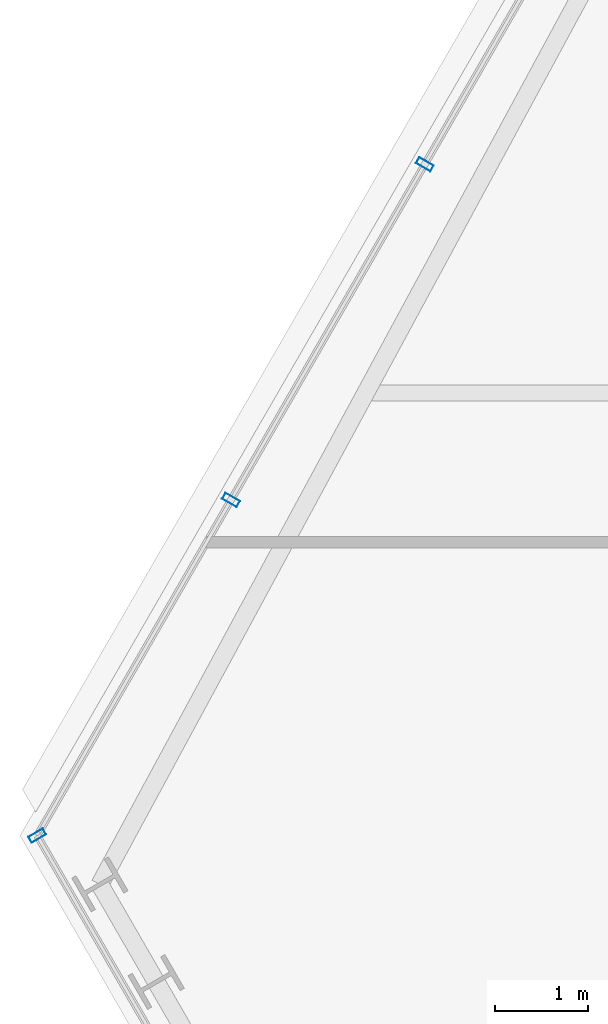
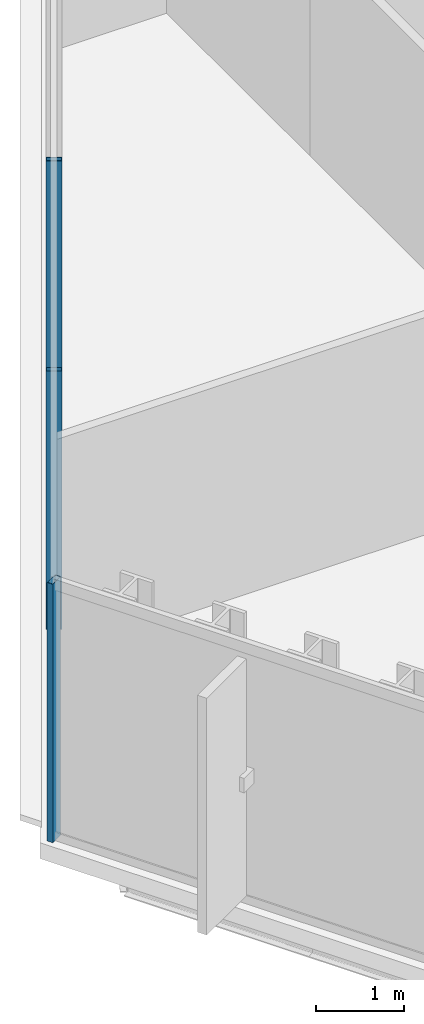
# One storey, part 5 of 35: 3 members, 2 elements without a shape of their own.
"""IFC4 building model written with IfcOpenShell, lengths in metres."""

from ifc_helpers import new_model, si_unit, direction, frame, origin, origin_2d, place, context, subcontext, project, spatial, hollow_rectangle, extrude, material, layer, layer_set, material_profile, profile_set, type_object, element, aggregate, save


model = new_model("IFC4")

# Units and contexts
model_context = context("Model", 3, precision=1e-05, world=origin(), true_north=direction((0.0, 1.0)))
body_context = subcontext(model_context, "Body", "Model", "MODEL_VIEW")
ifc_project = project(units=[si_unit("LENGTHUNIT", "METRE"), si_unit("AREAUNIT", "SQUARE_METRE"), si_unit("VOLUMEUNIT", "CUBIC_METRE"), si_unit("PLANEANGLEUNIT", "RADIAN"), si_unit("MASSUNIT", "GRAM", prefix="KILO")], contexts=[model_context])

# Site, building, storey
site_placement = place(None, origin())
site = spatial("IfcSite", under=ifc_project, at=site_placement, CompositionType="ELEMENT")
building_placement = place(site_placement, origin())
building = spatial("IfcBuilding", under=site, at=building_placement, Name="Ndaravel Arena Tower", CompositionType="ELEMENT")
storey_placement = place(building_placement, frame((0.0, 0.0, 172.60009765625)))
storey = spatial("IfcBuildingStorey", under=building, at=storey_placement, Name="L41", CompositionType="ELEMENT", Elevation=172.60009765625)

# Curtain wall, members
ifc_material_1 = material(Name="Aluminium", Category="aluminium")
ifc_layer_1 = layer(ifc_material_1, 0.179931640625)
ifc_layer_set_1 = layer_set([ifc_layer_1], Name="Aluminium")
curtain_wall_type_1 = type_object("IfcCurtainWallType", Name="CW-SYS-03", PredefinedType="NOTDEFINED", material=ifc_layer_set_1)
curtain_wall_1_placement = place(storey_placement, origin())
curtain_wall_1 = element("IfcCurtainWall", 1, at=curtain_wall_1_placement, inside=storey, type_object=curtain_wall_type_1, Name="L41 Faceted Crystal Curtain Wall CW-L41-E05", PredefinedType="NOTDEFINED")
ifc_material_2 = material(Name="Aluminium", Category="aluminium")
ifc_material_profile = material_profile(ifc_material_2, hollow_rectangle(XDim=0.074951171875, YDim=0.179931640625, WallThickness=0.00390625, at=origin_2d()), Name="CW MULLION 75x180x4")
ifc_profile_set = profile_set([ifc_material_profile], Name="Aluminium")
member_type = type_object("IfcMemberType", Name="MEM-CW-MUL180", PredefinedType="MULLION", material=ifc_profile_set)
member_1_placement = place(storey_placement, frame((22.43408203125, 21.052001953125, 0.0), z_axis=(0.0, 0.0, 1.0), x_axis=(-0.5, -0.866025403784, 0.0)))
member_1 = element("IfcMember", 2, at=member_1_placement, type_object=member_type, Name="CW-L41-E05 Mullion 07", PredefinedType="MULLION", context=body_context, shape_type="SweptSolid", body=[
    extrude(hollow_rectangle(XDim=0.074951171875, YDim=0.179931640625, WallThickness=0.00390625, at=origin_2d()), origin(), (0.0, 0.0, 1.0), 3.579833984375),
])
member_2_placement = place(storey_placement, frame((20.35595703125, 17.452392578125, 0.0), z_axis=(0.0, 0.0, 1.0), x_axis=(-0.5, -0.866025403784, 0.0)))
member_2 = element("IfcMember", 3, at=member_2_placement, type_object=member_type, Name="CW-L41-E05 Mullion 08", PredefinedType="MULLION", context=body_context, shape_type="SweptSolid", body=[
    extrude(hollow_rectangle(XDim=0.074951171875, YDim=0.179931640625, WallThickness=0.00390625, at=origin_2d()), origin(), (0.0, 0.0, 1.0), 3.579833984375),
])
aggregate(curtain_wall_1, [member_1, member_2])

# Curtain wall, member
ifc_material_3 = material(Name="Aluminium", Category="aluminium")
ifc_layer_2 = layer(ifc_material_3, 0.179931640625)
ifc_layer_set_2 = layer_set([ifc_layer_2], Name="Aluminium")
curtain_wall_type_2 = type_object("IfcCurtainWallType", Name="CW-SYS-02", PredefinedType="NOTDEFINED", material=ifc_layer_set_2)
curtain_wall_2_placement = place(storey_placement, origin())
curtain_wall_2 = element("IfcCurtainWall", 4, at=curtain_wall_2_placement, inside=storey, type_object=curtain_wall_type_2, Name="L41 Faceted Crystal Curtain Wall CW-L41-E06", PredefinedType="NOTDEFINED")
member_3_placement = place(storey_placement, frame((18.27783203125, 13.852783203125, 0.0), z_axis=(0.0, 0.0, 1.0), x_axis=(0.5, -0.866025403784, 0.0)))
member_3 = element("IfcMember", 5, at=member_3_placement, type_object=member_type, Name="CW-L41-E06 Mullion 00", PredefinedType="MULLION", context=body_context, shape_type="SweptSolid", body=[
    extrude(hollow_rectangle(XDim=0.074951171875, YDim=0.179931640625, WallThickness=0.00390625, at=origin_2d()), origin(), (0.0, 0.0, 1.0), 3.579833984375),
])
aggregate(curtain_wall_2, [member_3])

save(model, "model.ifc")
